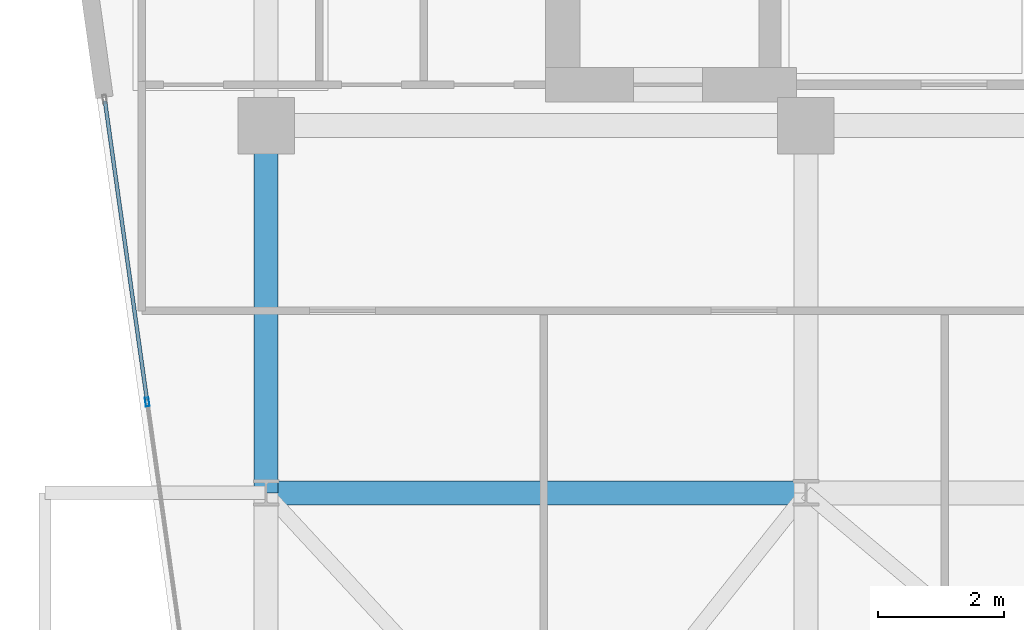
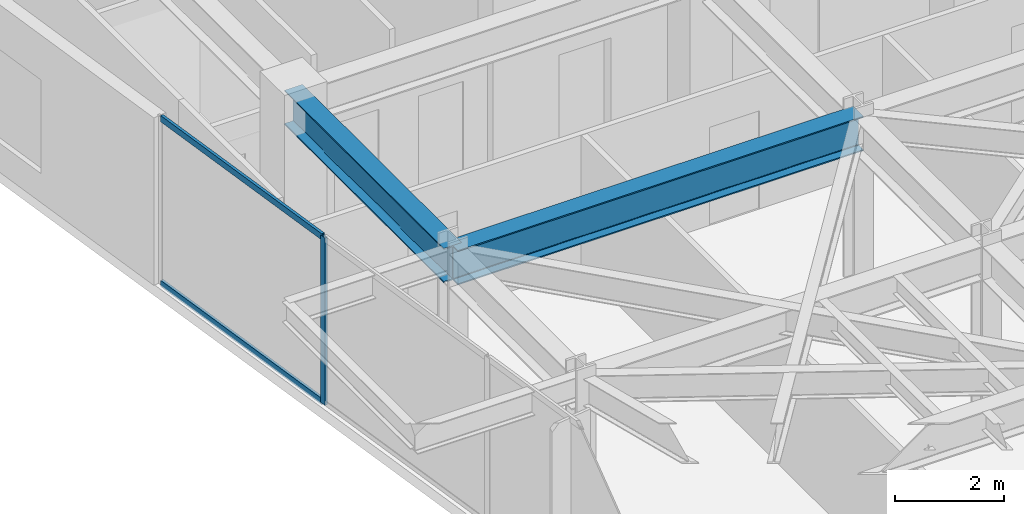
# One storey, part 10 of 27: 3 members, 2 beams, 1 element without a shape of its own.
"""IFC4 building model written with IfcOpenShell, lengths in metres."""

from ifc_helpers import new_model, si_unit, direction, frame, origin, origin_2d, place, context, subcontext, project, spatial, hollow_rectangle, i_section, extrude, material, layer, layer_set, material_profile, profile_set, type_object, element, aggregate, save


model = new_model("IFC4")

# Units and contexts
model_context = context("Model", 3, precision=1e-05, world=origin(), true_north=direction((0.0, 1.0)))
body_context = subcontext(model_context, "Body", "Model", "MODEL_VIEW")
ifc_project = project(units=[si_unit("LENGTHUNIT", "METRE"), si_unit("AREAUNIT", "SQUARE_METRE"), si_unit("VOLUMEUNIT", "CUBIC_METRE"), si_unit("PLANEANGLEUNIT", "RADIAN"), si_unit("MASSUNIT", "GRAM", prefix="KILO")], contexts=[model_context])

# Site, building, storey
site_placement = place(None, origin())
site = spatial("IfcSite", under=ifc_project, at=site_placement, CompositionType="ELEMENT")
building_placement = place(site_placement, origin())
building = spatial("IfcBuilding", under=site, at=building_placement, Name="Kravanh Interchange Tower", CompositionType="ELEMENT")
storey_placement = place(building_placement, frame((0.0, 0.0, 164.5)))
storey = spatial("IfcBuildingStorey", under=building, at=storey_placement, Name="L39", CompositionType="ELEMENT", Elevation=164.5)

# Curtain wall, members
ifc_material_1 = material(Name="Anodised Bronze Aluminium", Category="aluminium")
ifc_layer = layer(ifc_material_1, 0.179931640625)
ifc_layer_set = layer_set([ifc_layer], Name="Unitised Curtain Wall System CW-Z3 Upper Office")
curtain_wall_type = type_object("IfcCurtainWallType", Name="Unitised Curtain Wall System CW-Z3 Upper Office", PredefinedType="NOTDEFINED", material=ifc_layer_set)
curtain_wall_placement = place(storey_placement, origin())
curtain_wall = element("IfcCurtainWall", 1, at=curtain_wall_placement, inside=storey, type_object=curtain_wall_type, Name="L39 Unitised Curtain Wall CW-L39-01", PredefinedType="NOTDEFINED")
ifc_material_2 = material(Name="Anodised Bronze Aluminium", Category="aluminium")
ifc_material_profile_1 = material_profile(ifc_material_2, hollow_rectangle(XDim=0.06005859375, YDim=0.139892578125, WallThickness=0.00390625, at=origin_2d()), Name="ALU60X140X4")
ifc_profile_set_1 = profile_set([ifc_material_profile_1], Name="Anodised Bronze Aluminium")
member_type_1 = type_object("IfcMemberType", Name="Curtain Wall Mullion ALU60X140X4 Bronze", PredefinedType="MULLION", material=ifc_profile_set_1)
member_1_placement = place(storey_placement, frame((16.706787109375, 32.9482421875, 0.0), z_axis=(0.0, 0.0, 1.0), x_axis=(-0.990268194035, -0.139172209446, 0.0)))
member_1 = element("IfcMember", 2, at=member_1_placement, type_object=member_type_1, Name="CW-Z3 mullion 5", PredefinedType="MULLION", context=body_context, shape_type="SweptSolid", body=[
    extrude(hollow_rectangle(XDim=0.06005859375, YDim=0.139892578125, WallThickness=0.00390625, at=origin_2d()), origin(), (0.0, 0.0, 1.0), 3.7548828125),
])
ifc_material_3 = material(Name="Anodised Bronze Aluminium", Category="aluminium")
ifc_material_profile_2 = material_profile(ifc_material_3, hollow_rectangle(XDim=0.06005859375, YDim=0.139892578125, WallThickness=0.00390625, at=origin_2d()), Name="ALU60X140X4")
ifc_profile_set_2 = profile_set([ifc_material_profile_2], Name="Anodised Bronze Aluminium")
member_type_2 = type_object("IfcMemberType", Name="Curtain Wall Transom ALU60X140X4 Bronze", PredefinedType="USERDEFINED", material=ifc_profile_set_2)
member_2_placement = place(storey_placement, frame((16.70263671875, 32.977783203125, 0.030029296875), z_axis=(-0.139139718803, 0.990272759724, 0.0), x_axis=(-0.990272759724, -0.139139718803, 0.0)))
member_2 = element("IfcMember", 3, at=member_2_placement, type_object=member_type_2, Name="CW-Z3 transom 5.1", ObjectType="TRANSOM", PredefinedType="USERDEFINED", context=body_context, shape_type="SweptSolid", body=[
    extrude(hollow_rectangle(XDim=0.06005859375, YDim=0.139892578125, WallThickness=0.00390625, at=origin_2d()), origin(), (0.0, 0.0, 1.0), 4.8095703125),
])
member_3_placement = place(storey_placement, frame((16.70263671875, 32.977783203125, 3.72509765625), z_axis=(-0.139139718803, 0.990272759724, 0.0), x_axis=(-0.990272759724, -0.139139718803, 0.0)))
member_3 = element("IfcMember", 4, at=member_3_placement, type_object=member_type_2, Name="CW-Z3 transom 5.2", ObjectType="TRANSOM", PredefinedType="USERDEFINED", context=body_context, shape_type="SweptSolid", body=[
    extrude(hollow_rectangle(XDim=0.06005859375, YDim=0.139892578125, WallThickness=0.00390625, at=origin_2d()), origin(), (0.0, 0.0, 1.0), 4.8095703125),
])
aggregate(curtain_wall, [member_1, member_2, member_3])

# Beams
ifc_material_4 = material(Name="Structural Steel S355", Category="steel")
ifc_material_profile_3 = material_profile(ifc_material_4, i_section(OverallWidth=0.381103515625, OverallDepth=0.77294921875, WebThickness=0.0166015625, FlangeThickness=0.027099609375, FilletRadius=0.02490234375, at=origin_2d()), Name="W30X173")
ifc_profile_set_3 = profile_set([ifc_material_profile_3], Name="Structural Steel S355")
beam_type = type_object("IfcBeamType", Name="Floor Beam W30X173 Structural Steel S355", PredefinedType="BEAM", material=ifc_profile_set_3)
beam_1_placement = place(storey_placement, frame((18.60009765625, 37.35009765625, 3.368408203125), z_axis=(0.0, -1.0, 0.0), x_axis=(1.0, 0.0, 0.0)))
element("IfcBeam", 5, at=beam_1_placement, inside=storey, type_object=beam_type, Name="L39 Primary Floor Girder 28", PredefinedType="BEAM", context=body_context, shape_type="SweptSolid", body=[
    extrude(i_section(OverallWidth=0.381103515625, OverallDepth=0.77294921875, WebThickness=0.0166015625, FlangeThickness=0.027099609375, FilletRadius=0.02490234375, at=origin_2d()), origin(), (0.0, 0.0, 1.0), 5.85009765625),
])
beam_2_placement = place(storey_placement, frame((18.60009765625, 31.5, 3.368408203125), z_axis=(1.0, 0.0, 0.0), x_axis=(0.0, 1.0, 0.0)))
element("IfcBeam", 6, at=beam_2_placement, inside=storey, type_object=beam_type, Name="L39 Primary Floor Girder 61", PredefinedType="BEAM", context=body_context, shape_type="SweptSolid", body=[
    extrude(i_section(OverallWidth=0.381103515625, OverallDepth=0.77294921875, WebThickness=0.0166015625, FlangeThickness=0.027099609375, FilletRadius=0.02490234375, at=origin_2d()), origin(), (0.0, 0.0, 1.0), 8.599853515625),
])

save(model, "model.ifc")
